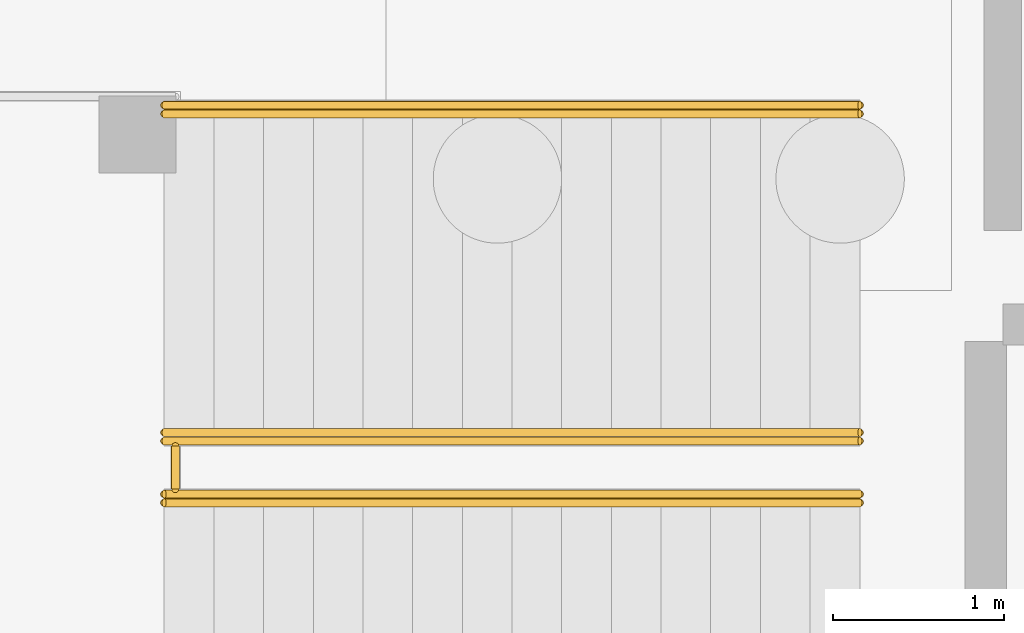
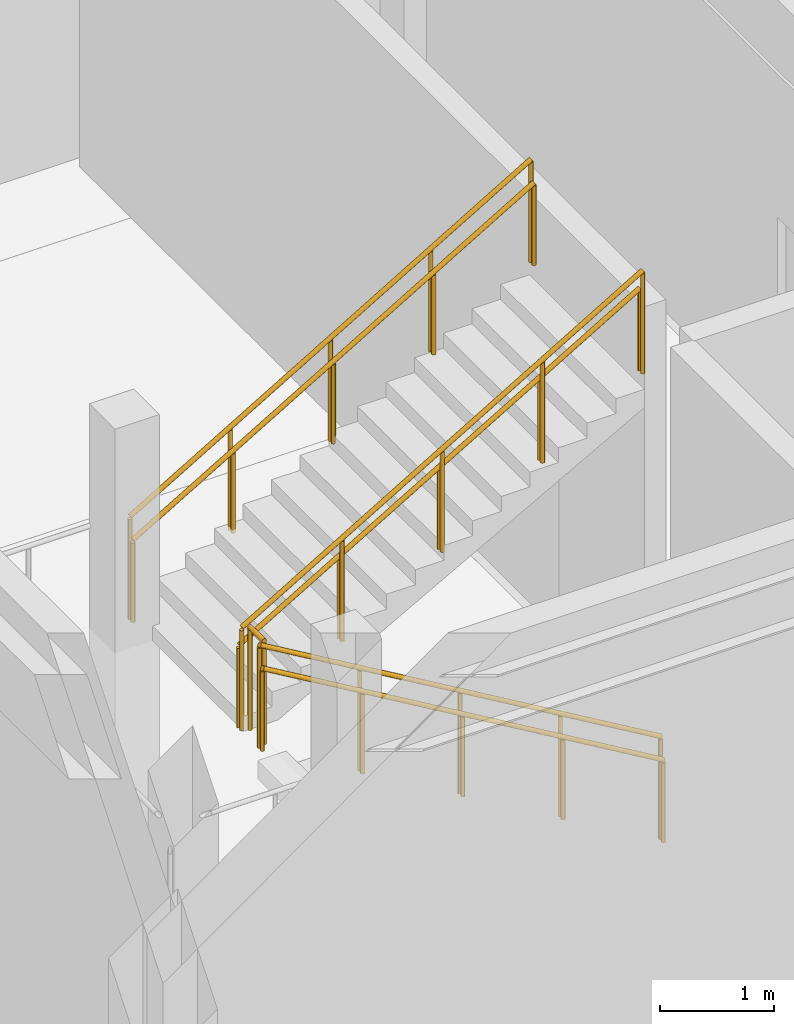
# One storey, part 32 of 33: 7 railings.
"""IFC4 building model written with IfcOpenShell, lengths in metres."""

from ifc_helpers import new_model, si_unit, direction, frame, origin, origin_2d, place, context, subcontext, project, spatial, circle, extrude, material, type_object, element, save


model = new_model("IFC4")

# Units and contexts
model_context = context("Model", 3, precision=1e-05, world=origin(), true_north=direction((0.0, 1.0)))
body_context = subcontext(model_context, "Body", "Model", "MODEL_VIEW")
ifc_project = project(units=[si_unit("LENGTHUNIT", "METRE"), si_unit("AREAUNIT", "SQUARE_METRE"), si_unit("VOLUMEUNIT", "CUBIC_METRE"), si_unit("PLANEANGLEUNIT", "RADIAN"), si_unit("MASSUNIT", "GRAM", prefix="KILO")], contexts=[model_context])

# Site, building, storey
site_placement = place(None, origin())
site = spatial("IfcSite", under=ifc_project, at=site_placement, CompositionType="ELEMENT")
building_placement = place(site_placement, origin())
building = spatial("IfcBuilding", under=site, at=building_placement, Name="Suirenkawa Promenade Aquatics Centre", CompositionType="ELEMENT")
storey_placement = place(building_placement, frame((0.0, 0.0, -4.800048828125)))
storey = spatial("IfcBuildingStorey", under=building, at=storey_placement, Name="B1", CompositionType="ELEMENT", Elevation=-4.800048828125)

# Railings
ifc_material = material(Name="Marine-grade stainless steel Grade 316L", Category="steel")
railing_type_1 = type_object("IfcRailingType", Name="RLT-GUARD-1120", PredefinedType="GUARDRAIL", material=ifc_material)
railing_1_placement = place(storey_placement, frame((64.114990234375, 110.56005859375, 0.0)))
element("IfcRailing", 1, at=railing_1_placement, inside=storey, type_object=railing_type_1, Name="Guardrail GRD-01 RL-0101", PredefinedType="GUARDRAIL", context=body_context, shape_type="SweptSolid", body=[
    extrude(circle(Radius=0.02392578125, at=origin_2d()), frame((0.0, 0.0, 1.09619140625), z_axis=(-0.860831705478, 0.0, 0.508889747237), x_axis=(0.0, -1.0, 0.0)), (0.0, 0.0, 1.0), 4.716552734375),
    extrude(circle(Radius=0.02099609375, at=origin_2d()), origin(), (0.0, 0.0, 1.0), 1.072021484375),
    extrude(circle(Radius=0.02099609375, at=origin_2d()), frame((-1.01513671875, 0.0, 0.60009765625)), (0.0, 0.0, 1.0), 1.072021484375),
    extrude(circle(Radius=0.02099609375, at=origin_2d()), frame((-2.030029296875, 0.0, 1.2001953125)), (0.0, 0.0, 1.0), 1.072021484375),
    extrude(circle(Radius=0.02099609375, at=origin_2d()), frame((-3.044921875, 0.0, 1.800048828125)), (0.0, 0.0, 1.0), 1.072021484375),
    extrude(circle(Radius=0.02099609375, at=origin_2d()), frame((-4.06005859375, 0.0, 2.400146484375)), (0.0, 0.0, 1.0), 1.072021484375),
])
for number, where, name in (
    (2, (60.054931640625, 110.8701171875, 2.400146484375), "Guardrail GRD-01 RL-0105"),
    (3, (60.054931640625, 112.830078125, 2.400146484375), "Guardrail GRD-01 RL-0107"),
):
    element("IfcRailing", number, at=place(storey_placement, frame(where)), inside=storey, type_object=railing_type_1, Name=name, PredefinedType="GUARDRAIL", context=body_context, shape_type="SweptSolid", body=[
        extrude(circle(Radius=0.02392578125, at=origin_2d()), frame((0.0, 0.0, 1.09619140625), z_axis=(0.8608543813, 0.0, 0.508851387142), x_axis=(0.0, 1.0, 0.0)), (0.0, 0.0, 1.0), 4.71630859375),
        extrude(circle(Radius=0.02099609375, at=origin_2d()), origin(), (0.0, 0.0, 1.0), 1.072021484375),
        extrude(circle(Radius=0.02099609375, at=origin_2d()), frame((1.01513671875, 0.0, 0.60009765625)), (0.0, 0.0, 1.0), 1.072021484375),
        extrude(circle(Radius=0.02099609375, at=origin_2d()), frame((2.030029296875, 0.0, 1.199951171875)), (0.0, 0.0, 1.0), 1.072021484375),
        extrude(circle(Radius=0.02099609375, at=origin_2d()), frame((3.044921875, 0.0, 1.7998046875)), (0.0, 0.0, 1.0), 1.072021484375),
        extrude(circle(Radius=0.02099609375, at=origin_2d()), frame((4.06005859375, 0.0, 2.39990234375)), (0.0, 0.0, 1.0), 1.072021484375),
    ])
railing_2_placement = place(storey_placement, frame((60.1201171875, 110.590087890625, 2.400146484375)))
element("IfcRailing", 4, at=railing_2_placement, inside=storey, type_object=railing_type_1, Name="Guardrail GRD-01 RL-0110", PredefinedType="GUARDRAIL", context=body_context, shape_type="SweptSolid", body=[
    extrude(circle(Radius=0.02392578125, at=origin_2d()), frame((0.0, 0.0, 1.09619140625), z_axis=(0.0, 1.0, 0.0), x_axis=(-1.0, 0.0, 0.0)), (0.0, 0.0, 1.0), 0.25),
    extrude(circle(Radius=0.02099609375, at=origin_2d()), origin(), (0.0, 0.0, 1.0), 1.072021484375),
    extrude(circle(Radius=0.02099609375, at=origin_2d()), frame((0.0, 0.25, 0.0)), (0.0, 0.0, 1.0), 1.072021484375),
])
railing_type_2 = type_object("IfcRailingType", Name="RLT-HANDRAIL-900", PredefinedType="HANDRAIL", material=ifc_material)
railing_3_placement = place(storey_placement, frame((64.114990234375, 110.510009765625, 0.0)))
element("IfcRailing", 5, at=railing_3_placement, inside=storey, type_object=railing_type_2, Name="Handrail HRL-01 RL-0102", PredefinedType="HANDRAIL", context=body_context, shape_type="SweptSolid", body=[
    extrude(circle(Radius=0.02392578125, at=origin_2d()), frame((0.0, 0.0, 0.8759765625), z_axis=(-0.860831705478, 0.0, 0.508889747237), x_axis=(0.0, -1.0, 0.0)), (0.0, 0.0, 1.0), 4.716552734375),
    extrude(circle(Radius=0.02099609375, at=origin_2d()), origin(), (0.0, 0.0, 1.0), 0.851806640625),
    extrude(circle(Radius=0.02099609375, at=origin_2d()), frame((-1.01513671875, 0.0, 0.60009765625)), (0.0, 0.0, 1.0), 0.851806640625),
    extrude(circle(Radius=0.02099609375, at=origin_2d()), frame((-2.030029296875, 0.0, 1.2001953125)), (0.0, 0.0, 1.0), 0.851806640625),
    extrude(circle(Radius=0.02099609375, at=origin_2d()), frame((-3.044921875, 0.0, 1.800048828125)), (0.0, 0.0, 1.0), 0.851806640625),
    extrude(circle(Radius=0.02099609375, at=origin_2d()), frame((-4.06005859375, 0.0, 2.400146484375)), (0.0, 0.0, 1.0), 0.851806640625),
])
for number, where, name in (
    (6, (60.054931640625, 110.919921875, 2.400146484375), "Handrail HRL-01 RL-0106"),
    (7, (60.054931640625, 112.780029296875, 2.400146484375), "Handrail HRL-01 RL-0108"),
):
    element("IfcRailing", number, at=place(storey_placement, frame(where)), inside=storey, type_object=railing_type_2, Name=name, PredefinedType="HANDRAIL", context=body_context, shape_type="SweptSolid", body=[
        extrude(circle(Radius=0.02392578125, at=origin_2d()), frame((0.0, 0.0, 0.8759765625), z_axis=(0.8608543813, 0.0, 0.508851387142), x_axis=(0.0, 1.0, 0.0)), (0.0, 0.0, 1.0), 4.71630859375),
        extrude(circle(Radius=0.02099609375, at=origin_2d()), origin(), (0.0, 0.0, 1.0), 0.851806640625),
        extrude(circle(Radius=0.02099609375, at=origin_2d()), frame((1.01513671875, 0.0, 0.60009765625)), (0.0, 0.0, 1.0), 0.851806640625),
        extrude(circle(Radius=0.02099609375, at=origin_2d()), frame((2.030029296875, 0.0, 1.199951171875)), (0.0, 0.0, 1.0), 0.851806640625),
        extrude(circle(Radius=0.02099609375, at=origin_2d()), frame((3.044921875, 0.0, 1.7998046875)), (0.0, 0.0, 1.0), 0.851806640625),
        extrude(circle(Radius=0.02099609375, at=origin_2d()), frame((4.06005859375, 0.0, 2.39990234375)), (0.0, 0.0, 1.0), 0.851806640625),
    ])

save(model, "model.ifc")
